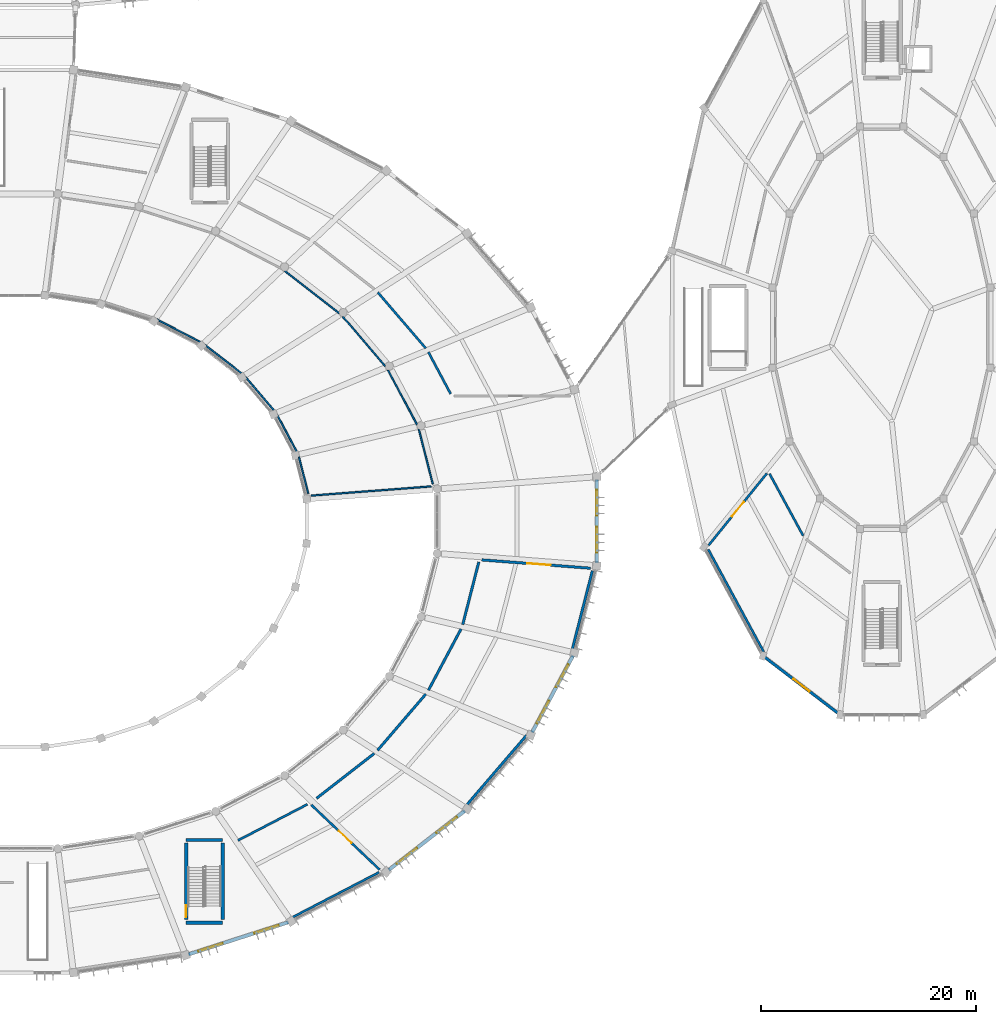
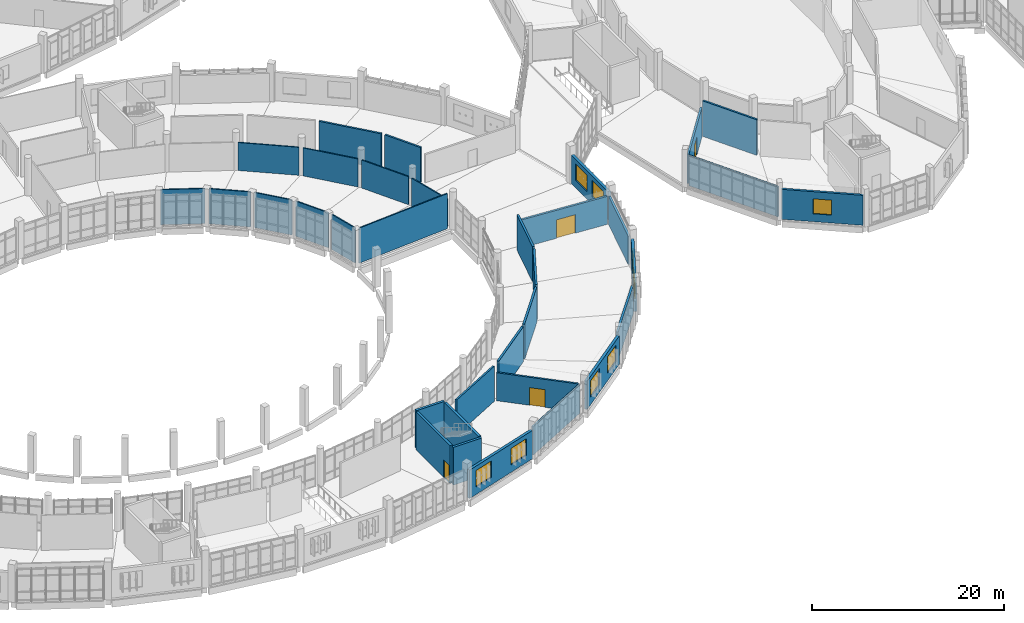
# One storey, part 122 of 179: 34 walls, 9 windows, 4 doors, 13 openings.
"""IFC4 building model written with IfcOpenShell, lengths in metres."""

from ifc_helpers import new_model, si_unit, direction, frame, frame_2d, origin, place, context, subcontext, project, spatial, rectangle, extrude, material, layer, layer_set, type_object, element, fill, save


model = new_model("IFC4")

# Units and contexts
model_context = context("Model", 3, precision=1e-05, world=origin(), true_north=direction((0.0, 1.0)))
body_context = subcontext(model_context, "Body", "Model", "MODEL_VIEW")
ifc_project = project(units=[si_unit("LENGTHUNIT", "METRE"), si_unit("AREAUNIT", "SQUARE_METRE"), si_unit("VOLUMEUNIT", "CUBIC_METRE"), si_unit("PLANEANGLEUNIT", "RADIAN"), si_unit("MASSUNIT", "GRAM", prefix="KILO")], contexts=[model_context])

# Site, building, storey
site_placement = place(None, origin())
site = spatial("IfcSite", under=ifc_project, at=site_placement, CompositionType="ELEMENT")
building_placement = place(site_placement, origin())
building = spatial("IfcBuilding", under=site, at=building_placement, Name="Corvandel Quay Wholesale Market", CompositionType="ELEMENT")
storey_placement = place(building_placement, frame((0.0, 0.0, 6.0)))
storey = spatial("IfcBuildingStorey", under=building, at=storey_placement, Name="L01", CompositionType="ELEMENT", Elevation=6.0)

# Walls
ifc_material_1 = material(Name="Gypsum-clad steel stud framing", Category="steel")
ifc_layer_1 = layer(ifc_material_1, 0.2099609375)
ifc_layer_set_1 = layer_set([ifc_layer_1], Name="Gypsum-clad steel stud framing")
wall_type_1 = type_object("IfcWallType", Name="Corridor Rated Partition PT02 210", PredefinedType="PARTITIONING", material=ifc_layer_set_1)
wall_1_placement = place(storey_placement, frame((152.087890625, 58.089111328125, 0.0), z_axis=(0.0, 0.0, 1.0), x_axis=(-0.651011467263, 0.759067895179, 0.0)))
element("IfcWall", 1, at=wall_1_placement, inside=storey, type_object=wall_type_1, Name="Interior Wall IW-0442", PredefinedType="PARTITIONING", context=body_context, shape_type="SweptSolid", body=[
    extrude(rectangle(XDim=6.850341796875, YDim=0.2099609375, at=frame_2d((3.42529296875, 0.0))), origin(), (0.0, 0.0, 1.0), 4.4599609375),
])
wall_2_placement = place(storey_placement, frame((154.40869140625, 53.834228515625, 0.0), z_axis=(0.0, 0.0, 1.0), x_axis=(-0.470174564537, 0.882573441059, 0.0)))
element("IfcWall", 2, at=wall_2_placement, inside=storey, type_object=wall_type_1, Name="Interior Wall IW-0449", PredefinedType="PARTITIONING", context=body_context, shape_type="SweptSolid", body=[
    extrude(rectangle(XDim=4.41162109375, YDim=0.2099609375, at=frame_2d((2.205810546875, 0.0))), origin(), (0.0, 0.0, 1.0), 4.4599609375),
])
wall_3_placement = place(storey_placement, frame((134.625244140625, 12.30859375, 0.0), z_axis=(0.0, 0.0, 1.0), x_axis=(0.887324465007, 0.461145631878, 0.0)))
element("IfcWall", 3, at=wall_3_placement, inside=storey, type_object=wall_type_1, Name="Interior Wall IW-0478", PredefinedType="PARTITIONING", context=body_context, shape_type="SweptSolid", body=[
    extrude(rectangle(XDim=7.275390625, YDim=0.2099609375, at=frame_2d((3.6376953125, 0.0))), origin(), (0.0, 0.0, 1.0), 4.4599609375),
])

# Wall, opening, door
wall_4_placement = place(storey_placement, frame((141.435791015625, 15.613525390625, 0.0), z_axis=(0.0, 0.0, 1.0), x_axis=(0.725745871032, -0.687962884667, 0.0)))
wall_4 = element("IfcWall", 4, at=wall_4_placement, inside=storey, type_object=wall_type_1, Name="Interior Wall IW-0479", PredefinedType="PARTITIONING", context=body_context, shape_type="SweptSolid", body=[
    extrude(rectangle(XDim=8.7490234375, YDim=0.2099609375, at=frame_2d((4.37451171875, 0.0))), origin(), (0.0, 0.0, 1.0), 3.56005859375),
])
opening_1_placement = place(wall_4_placement, frame((3.52490234375, 0.0, 0.0)))
opening_1 = element("IfcOpeningElement", 5, at=opening_1_placement, cuts=wall_4, Name="Opening L01-D036", PredefinedType="OPENING", context=body_context, shape_type="SweptSolid", body=[
    extrude(rectangle(XDim=1.64990234375, YDim=2.25, at=frame_2d((0.824951171875, 1.125))), frame((0.0, 0.114990234375, 0.0), z_axis=(0.0, -1.0, 0.0), x_axis=(1.0, 0.0, 0.0)), (0.0, 0.0, 1.0), 0.22998046875),
])
ifc_material_2 = material(Name="HPL-faced hygienic timber core", Category="wood")
door_type_1 = type_object("IfcDoorType", Name="Laboratory Double Door ID08 1650x2250", OperationType="DOUBLE_DOOR_SINGLE_SWING", PredefinedType="DOOR", material=ifc_material_2)
door_1_placement = place(opening_1_placement, origin())
door_1 = element("IfcDoor", 6, at=door_1_placement, inside=storey, type_object=door_type_1, Name="Produce Packaging and Labelling Hall Door", OperationType="DOUBLE_DOOR_SINGLE_SWING", OverallHeight=2.25, OverallWidth=1.64990234375, PredefinedType="DOOR", context=body_context, shape_type="SweptSolid", body=[
    extrude(rectangle(XDim=1.64990234375, YDim=2.25, at=frame_2d((0.824951171875, 1.125))), frame((0.0, 0.02490234375, 0.0), z_axis=(0.0, -1.0, 0.0), x_axis=(1.0, 0.0, 0.0)), (0.0, 0.0, 1.0), 0.050048828125),
])
fill(opening_1, door_1)

# Walls
wall_5_placement = place(storey_placement, frame((147.749755859375, 9.341552734375, 0.0), z_axis=(0.0, 0.0, 1.0), x_axis=(-0.887317698476, -0.461158651627, 0.0)))
element("IfcWall", 7, at=wall_5_placement, inside=storey, type_object=wall_type_1, Name="Interior Wall IW-0480", PredefinedType="PARTITIONING", context=body_context, shape_type="SweptSolid", body=[
    extrude(rectangle(XDim=9.110107421875, YDim=0.2099609375, at=frame_2d((4.55517578125, 0.0))), origin(), (0.0, 0.0, 1.0), 3.610107421875),
])
wall_6_placement = place(storey_placement, frame((183.5361328125, 29.83349609375, 0.0), z_axis=(0.0, 0.0, 1.0), x_axis=(-0.476290386747, 0.879288045803, 0.0)))
element("IfcWall", 8, at=wall_6_placement, inside=storey, type_object=wall_type_1, Name="Interior Wall IW-0739", PredefinedType="PARTITIONING", context=body_context, shape_type="SweptSolid", body=[
    extrude(rectangle(XDim=10.86572265625, YDim=0.2099609375, at=frame_2d((5.432861328125, 0.0))), origin(), (0.0, 0.0, 1.0), 3.81005859375),
])

# Wall, opening, door
wall_7_placement = place(storey_placement, frame((178.39453125, 39.751953125, 0.0), z_axis=(0.0, 0.0, 1.0), x_axis=(0.629757145599, 0.776792081298, 0.0)))
wall_7 = element("IfcWall", 9, at=wall_7_placement, inside=storey, type_object=wall_type_1, Name="Interior Wall IW-0740", PredefinedType="PARTITIONING", context=body_context, shape_type="SweptSolid", body=[
    extrude(rectangle(XDim=8.61767578125, YDim=0.2099609375, at=frame_2d((4.308837890625, 0.0))), origin(), (0.0, 0.0, 1.0), 3.760009765625),
])
opening_2_placement = place(wall_7_placement, frame((3.458984375, 0.0, 0.0)))
opening_2 = element("IfcOpeningElement", 10, at=opening_2_placement, cuts=wall_7, Name="Opening L01-D050", PredefinedType="OPENING", context=body_context, shape_type="SweptSolid", body=[
    extrude(rectangle(XDim=1.75, YDim=2.35009765625, at=frame_2d((0.875, 1.175048828125))), frame((0.0, 0.114990234375, 0.0), z_axis=(0.0, -1.0, 0.0), x_axis=(1.0, 0.0, 0.0)), (0.0, 0.0, 1.0), 0.22998046875),
])
ifc_material_3 = material(Name="Acoustic timber double leaf", Category="wood")
door_type_2 = type_object("IfcDoorType", Name="Auction Hall Acoustic Door ID18 1750x2350", OperationType="DOUBLE_DOOR_SINGLE_SWING", PredefinedType="DOOR", material=ifc_material_3)
door_2_placement = place(opening_2_placement, origin())
door_2 = element("IfcDoor", 11, at=door_2_placement, inside=storey, type_object=door_type_2, Name="Auction Clock Settlement Office Door", OperationType="DOUBLE_DOOR_SINGLE_SWING", OverallHeight=2.35009765625, OverallWidth=1.75, PredefinedType="DOOR", context=body_context, shape_type="SweptSolid", body=[
    extrude(rectangle(XDim=1.75, YDim=2.35009765625, at=frame_2d((0.875, 1.175048828125))), frame((0.0, 0.02490234375, 0.0), z_axis=(0.0, -1.0, 0.0), x_axis=(1.0, 0.0, 0.0)), (0.0, 0.0, 1.0), 0.050048828125),
])
fill(opening_2, door_2)

# Walls
wall_8_placement = place(storey_placement, frame((184.06494140625, 46.423583984375, 0.0), z_axis=(0.0, 0.0, 1.0), x_axis=(0.476768399211, -0.87902894919, 0.0)))
element("IfcWall", 12, at=wall_8_placement, inside=storey, type_object=wall_type_1, Name="Interior Wall IW-0741", PredefinedType="PARTITIONING", context=body_context, shape_type="SweptSolid", body=[
    extrude(rectangle(XDim=6.563232421875, YDim=0.2099609375, at=frame_2d((3.28173828125, 0.0))), origin(), (0.0, 0.0, 1.0), 4.5400390625),
])
ifc_material_4 = material(Name="Lightweight concrete blockwork", Category="masonry")
ifc_layer_2 = layer(ifc_material_4, 0.239990234375)
ifc_layer_set_2 = layer_set([ifc_layer_2], Name="Lightweight concrete blockwork")
wall_type_2 = type_object("IfcWallType", Name="Fire Compartment Partition PT01 240", PredefinedType="PARTITIONING", material=ifc_layer_set_2)
wall_9_placement = place(storey_placement, frame((147.609375, 20.69384765625, 0.0), z_axis=(0.0, 0.0, 1.0), x_axis=(0.651320491165, 0.758802752887, 0.0)))
element("IfcWall", 13, at=wall_9_placement, inside=storey, type_object=wall_type_2, Name="Interior Wall IW-0483", PredefinedType="PARTITIONING", context=body_context, shape_type="SweptSolid", body=[
    extrude(rectangle(XDim=6.875732421875, YDim=0.239990234375, at=frame_2d((3.43798828125, 0.0))), origin(), (0.0, 0.0, 1.0), 4.4599609375),
])
wall_10_placement = place(storey_placement, frame((152.33447265625, 26.272216796875, 0.0), z_axis=(0.0, 0.0, 1.0), x_axis=(0.4699449875, 0.882695705622, 0.0)))
element("IfcWall", 14, at=wall_10_placement, inside=storey, type_object=wall_type_2, Name="Interior Wall IW-0484", PredefinedType="PARTITIONING", context=body_context, shape_type="SweptSolid", body=[
    extrude(rectangle(XDim=6.462646484375, YDim=0.239990234375, at=frame_2d((3.2314453125, 0.0))), origin(), (0.0, 0.0, 1.0), 4.4599609375),
])
wall_11_placement = place(storey_placement, frame((155.529541015625, 32.384033203125, 0.0), z_axis=(0.0, 0.0, 1.0), x_axis=(0.248247314143, 0.968696686802, 0.0)))
element("IfcWall", 15, at=wall_11_placement, inside=storey, type_object=wall_type_2, Name="Interior Wall IW-0485", PredefinedType="PARTITIONING", context=body_context, shape_type="SweptSolid", body=[
    extrude(rectangle(XDim=6.010009765625, YDim=0.239990234375, at=frame_2d((3.0048828125, 0.0))), origin(), (0.0, 0.0, 1.0), 4.4599609375),
])

# Wall, opening, door
wall_12_placement = place(storey_placement, frame((157.29541015625, 38.402099609375, 0.0), z_axis=(0.0, 0.0, 1.0), x_axis=(0.997076634039, -0.076408022176, 0.0)))
wall_12 = element("IfcWall", 16, at=wall_12_placement, inside=storey, type_object=wall_type_2, Name="Interior Wall IW-0486", PredefinedType="PARTITIONING", context=body_context, shape_type="SweptSolid", body=[
    extrude(rectangle(XDim=10.160888671875, YDim=0.239990234375, at=frame_2d((5.08056640625, 0.0))), origin(), (0.0, 0.0, 1.0), 3.56005859375),
])
opening_3_placement = place(wall_12_placement, frame((4.22998046875, 0.0, 0.0)))
opening_3 = element("IfcOpeningElement", 17, at=opening_3_placement, cuts=wall_12, Name="Opening L01-D037", PredefinedType="OPENING", context=body_context, shape_type="SweptSolid", body=[
    extrude(rectangle(XDim=2.199951171875, YDim=2.35009765625, at=frame_2d((1.10009765625, 1.175048828125))), frame((0.0, 0.1298828125, 0.0), z_axis=(0.0, -1.0, 0.0), x_axis=(1.0, 0.0, 0.0)), (0.0, 0.0, 1.0), 0.260009765625),
])
ifc_material_5 = material(Name="Stainless-clad fire-rated steel", Category="steel")
door_type_3 = type_object("IfcDoorType", Name="Hall Compartment Double Door ID04 2200x2350", OperationType="DOUBLE_DOOR_SINGLE_SWING", PredefinedType="DOOR", material=ifc_material_5)
door_3_placement = place(opening_3_placement, origin())
door_3 = element("IfcDoor", 18, at=door_3_placement, inside=storey, type_object=door_type_3, Name="Growers Cooperative Trading Office Door", OperationType="DOUBLE_DOOR_SINGLE_SWING", OverallHeight=2.35009765625, OverallWidth=2.199951171875, PredefinedType="DOOR", context=body_context, shape_type="SweptSolid", body=[
    extrude(rectangle(XDim=2.199951171875, YDim=2.35009765625, at=frame_2d((1.10009765625, 1.175048828125))), frame((0.0, 0.02490234375, 0.0), z_axis=(0.0, -1.0, 0.0), x_axis=(1.0, 0.0, 0.0)), (0.0, 0.0, 1.0), 0.050048828125),
])
fill(opening_3, door_3)

# Walls
wall_13_placement = place(storey_placement, frame((167.591552734375, 37.39599609375, 0.0), z_axis=(0.0, 0.0, 1.0), x_axis=(-0.247762128405, -0.968820895588, 0.0)))
element("IfcWall", 19, at=wall_13_placement, inside=storey, type_object=wall_type_2, Name="Interior Wall IW-0487", PredefinedType="PARTITIONING", context=body_context, shape_type="SweptSolid", body=[
    extrude(rectangle(XDim=7.567626953125, YDim=0.239990234375, at=frame_2d((3.78369140625, 0.0))), origin(), (0.0, 0.0, 1.0), 3.610107421875),
])
wall_14_placement = place(storey_placement, frame((161.477783203125, 22.09814453125, 0.0), z_axis=(0.0, 0.0, 1.0), x_axis=(-0.651588761732, -0.758572399699, 0.0)))
element("IfcWall", 20, at=wall_14_placement, inside=storey, type_object=wall_type_2, Name="Interior Wall IW-0488", PredefinedType="PARTITIONING", context=body_context, shape_type="SweptSolid", body=[
    extrude(rectangle(XDim=8.569091796875, YDim=0.239990234375, at=frame_2d((4.28466796875, 0.0))), origin(), (0.0, 0.0, 1.0), 3.610107421875),
])
wall_15_placement = place(storey_placement, frame((141.9267578125, 16.218994140625, 0.0), z_axis=(0.0, 0.0, 1.0), x_axis=(0.789373491507, 0.613913260083, 0.0)))
element("IfcWall", 21, at=wall_15_placement, inside=storey, type_object=wall_type_2, Name="Interior Wall IW-0489", PredefinedType="PARTITIONING", context=body_context, shape_type="SweptSolid", body=[
    extrude(rectangle(XDim=6.797119140625, YDim=0.239990234375, at=frame_2d((3.3984375, 0.0))), origin(), (0.0, 0.0, 1.0), 4.4599609375),
])
ifc_material_6 = material(Name="Double-layer acoustic gypsum stud partition")
ifc_layer_3 = layer(ifc_material_6, 0.139892578125)
ifc_layer_set_3 = layer_set([ifc_layer_3], Name="Double-layer acoustic gypsum stud partition")
wall_type_3 = type_object("IfcWallType", Name="Office Acoustic Partition PT07 140", PredefinedType="PARTITIONING", material=ifc_layer_set_3)
wall_16_placement = place(storey_placement, frame((140.129638671875, 48.38818359375, 0.0), z_axis=(0.0, 0.0, 1.0), x_axis=(-0.46974902355, 0.882800008424, 0.0)))
element("IfcWall", 22, at=wall_16_placement, inside=storey, type_object=wall_type_3, Name="Interior Wall IW-0490", PredefinedType="PARTITIONING", context=body_context, shape_type="SweptSolid", body=[
    extrude(rectangle(XDim=4.017578125, YDim=0.139892578125, at=frame_2d((2.0087890625, 0.0))), origin(), (0.0, 0.0, 1.0), 4.4599609375),
])
wall_17_placement = place(storey_placement, frame((137.99560546875, 52.2958984375, 0.0), z_axis=(0.0, 0.0, 1.0), x_axis=(-0.651780038409, 0.758408057402, 0.0)))
element("IfcWall", 23, at=wall_17_placement, inside=storey, type_object=wall_type_3, Name="Interior Wall IW-0491", PredefinedType="PARTITIONING", context=body_context, shape_type="SweptSolid", body=[
    extrude(rectangle(XDim=4.1259765625, YDim=0.139892578125, at=frame_2d((2.06298828125, 0.0))), origin(), (0.0, 0.0, 1.0), 4.4599609375),
])
wall_18_placement = place(storey_placement, frame((134.9892578125, 55.72705078125, 0.0), z_axis=(0.0, 0.0, 1.0), x_axis=(-0.789439402794, 0.61382850155, 0.0)))
element("IfcWall", 24, at=wall_18_placement, inside=storey, type_object=wall_type_3, Name="Interior Wall IW-0492", PredefinedType="PARTITIONING", context=body_context, shape_type="SweptSolid", body=[
    extrude(rectangle(XDim=4.372314453125, YDim=0.139892578125, at=frame_2d((2.18603515625, 0.0))), origin(), (0.0, 0.0, 1.0), 4.4599609375),
])
wall_19_placement = place(storey_placement, frame((131.168701171875, 58.6474609375, 0.0), z_axis=(0.0, 0.0, 1.0), x_axis=(-0.887481523637, 0.460843297882, 0.0)))
element("IfcWall", 25, at=wall_19_placement, inside=storey, type_object=wall_type_3, Name="Interior Wall IW-0493", PredefinedType="PARTITIONING", context=body_context, shape_type="SweptSolid", body=[
    extrude(rectangle(XDim=4.617919921875, YDim=0.139892578125, at=frame_2d((2.30908203125, 0.0))), origin(), (0.0, 0.0, 1.0), 4.4599609375),
])
wall_20_placement = place(storey_placement, frame((138.978759765625, 65.27978515625, 0.0), z_axis=(0.0, 0.0, 1.0), x_axis=(0.789391155416, -0.613890547045, 0.0)))
element("IfcWall", 26, at=wall_20_placement, inside=storey, type_object=wall_type_3, Name="Interior Wall IW-0500", PredefinedType="PARTITIONING", context=body_context, shape_type="SweptSolid", body=[
    extrude(rectangle(XDim=6.414306640625, YDim=0.139892578125, at=frame_2d((3.20703125, 0.0))), origin(), (0.0, 0.0, 1.0), 3.56005859375),
])
wall_21_placement = place(storey_placement, frame((144.359375, 61.0400390625, 0.0), z_axis=(0.0, 0.0, 1.0), x_axis=(0.651509200707, -0.758640732754, 0.0)))
element("IfcWall", 27, at=wall_21_placement, inside=storey, type_object=wall_type_3, Name="Interior Wall IW-0501", PredefinedType="PARTITIONING", context=body_context, shape_type="SweptSolid", body=[
    extrude(rectangle(XDim=6.075439453125, YDim=0.139892578125, at=frame_2d((3.03759765625, 0.0))), origin(), (0.0, 0.0, 1.0), 3.56005859375),
])
wall_22_placement = place(storey_placement, frame((148.564453125, 56.06982421875, 0.0), z_axis=(0.0, 0.0, 1.0), x_axis=(0.47010310894, -0.882611503984, 0.0)))
element("IfcWall", 28, at=wall_22_placement, inside=storey, type_object=wall_type_3, Name="Interior Wall IW-0502", PredefinedType="PARTITIONING", context=body_context, shape_type="SweptSolid", body=[
    extrude(rectangle(XDim=5.7734375, YDim=0.139892578125, at=frame_2d((2.88671875, 0.0))), origin(), (0.0, 0.0, 1.0), 3.56005859375),
])
wall_23_placement = place(storey_placement, frame((151.4365234375, 50.56689453125, 0.0), z_axis=(0.0, 0.0, 1.0), x_axis=(0.247845395497, -0.968799597404, 0.0)))
element("IfcWall", 29, at=wall_23_placement, inside=storey, type_object=wall_type_3, Name="Interior Wall IW-0503", PredefinedType="PARTITIONING", context=body_context, shape_type="SweptSolid", body=[
    extrude(rectangle(XDim=5.26513671875, YDim=0.139892578125, at=frame_2d((2.632568359375, 0.0))), origin(), (0.0, 0.0, 1.0), 3.56005859375),
])
wall_24_placement = place(storey_placement, frame((152.57666015625, 45.236083984375, 0.0), z_axis=(0.0, 0.0, 1.0), x_axis=(-0.997075007957, -0.076429238566, 0.0)))
element("IfcWall", 30, at=wall_24_placement, inside=storey, type_object=wall_type_3, Name="Interior Wall IW-0504", PredefinedType="PARTITIONING", context=body_context, shape_type="SweptSolid", body=[
    extrude(rectangle(XDim=11.177001953125, YDim=0.139892578125, at=frame_2d((5.58837890625, 0.0))), origin(), (0.0, 0.0, 1.0), 4.4599609375),
])
wall_25_placement = place(storey_placement, frame((141.158447265625, 44.578125, 0.0), z_axis=(0.0, 0.0, 1.0), x_axis=(-0.247928828704, 0.968778249084, 0.0)))
element("IfcWall", 31, at=wall_25_placement, inside=storey, type_object=wall_type_3, Name="Interior Wall IW-0505", PredefinedType="PARTITIONING", context=body_context, shape_type="SweptSolid", body=[
    extrude(rectangle(XDim=3.512451171875, YDim=0.139892578125, at=frame_2d((1.75634765625, 0.0))), origin(), (0.0, 0.0, 1.0), 4.4599609375),
])

# Wall, opening, window
ifc_material_7 = material(Name="Terracotta precast concrete C45/55", Category="masonry")
ifc_layer_4 = layer(ifc_material_7, 0.260009765625)
ifc_layer_set_4 = layer_set([ifc_layer_4], Name="Terracotta precast concrete C45/55")
wall_type_4 = type_object("IfcWallType", Name="Pavilion Pilaster Infill Wall EW08 260", PredefinedType="SOLIDWALL", material=ifc_layer_set_4)
wall_26_placement = place(storey_placement, frame((183.62890625, 29.347412109375, 0.0), z_axis=(0.0, 0.0, 1.0), x_axis=(0.794325535109, -0.607492340918, 0.0)))
wall_26 = element("IfcWall", 32, at=wall_26_placement, inside=storey, type_object=wall_type_4, Name="Exterior Wall EW-0184", PredefinedType="SOLIDWALL", context=body_context, shape_type="SweptSolid", body=[
    extrude(rectangle(XDim=8.58251953125, YDim=0.260009765625, at=frame_2d((4.291259765625, 0.0))), origin(), (0.0, 0.0, 1.0), 3.81005859375),
])
opening_4_placement = place(wall_26_placement, frame((3.341064453125, 0.0, 1.0)))
opening_4 = element("IfcOpeningElement", 33, at=opening_4_placement, cuts=wall_26, Name="Opening L01-W049", PredefinedType="OPENING", context=body_context, shape_type="SweptSolid", body=[
    extrude(rectangle(XDim=1.89990234375, YDim=1.89990234375, at=frame_2d((0.949951171875, 0.949951171875))), frame((0.0, 0.139892578125, 0.0), z_axis=(0.0, -1.0, 0.0), x_axis=(1.0, 0.0, 0.0)), (0.0, 0.0, 1.0), 0.280029296875),
])
ifc_material_8 = material(Name="Thermally broken bronze anodised aluminium and solar-control low-E double glazing", Category="aluminium")
window_type_1 = type_object("IfcWindowType", Name="Auction Gallery Window WN12 1900x1900", PartitioningType="SINGLE_PANEL", PredefinedType="WINDOW", material=ifc_material_8)
window_1_placement = place(opening_4_placement, origin())
window_1 = element("IfcWindow", 34, at=window_1_placement, inside=storey, type_object=window_type_1, Name="Window L01-W049", OverallHeight=1.89990234375, OverallWidth=1.89990234375, PartitioningType="SINGLE_PANEL", PredefinedType="WINDOW", context=body_context, shape_type="SweptSolid", body=[
    extrude(rectangle(XDim=1.89990234375, YDim=1.89990234375, at=frame_2d((0.949951171875, 0.949951171875))), frame((0.0, 0.030029296875, 0.0), z_axis=(0.0, -1.0, 0.0), x_axis=(1.0, 0.0, 0.0)), (0.0, 0.0, 1.0), 0.06005859375),
])
fill(opening_4, window_1)

# Wall, openings, windows
ifc_material_9 = material(Name="Buff-pigmented precast concrete C45/55", Category="concrete")
ifc_layer_5 = layer(ifc_material_9, 0.320068359375)
ifc_layer_set_5 = layer_set([ifc_layer_5], Name="Buff-pigmented precast concrete C45/55")
wall_type_5 = type_object("IfcWallType", Name="Sandstone Buff Precast Wall EW02 320", PredefinedType="SOLIDWALL", material=ifc_layer_set_5)
wall_27_placement = place(storey_placement, frame((130.008056640625, 1.69677734375, 0.0), z_axis=(0.0, 0.0, 1.0), x_axis=(0.95182847269, 0.30663098111, 0.0)))
wall_27 = element("IfcWall", 35, at=wall_27_placement, inside=storey, type_object=wall_type_5, Name="Exterior Wall EW-0069", PredefinedType="SOLIDWALL", context=body_context, shape_type="SweptSolid", body=[
    extrude(rectangle(XDim=9.785400390625, YDim=0.320068359375, at=frame_2d((4.892578125, 0.0))), origin(), (0.0, 0.0, 1.0), 3.610107421875),
])
opening_5_placement = place(wall_27_placement, frame((0.949951171875, 0.0, 0.949951171875)))
opening_5 = element("IfcOpeningElement", 36, at=opening_5_placement, cuts=wall_27, Name="Opening L01-W021", PredefinedType="OPENING", context=body_context, shape_type="SweptSolid", body=[
    extrude(rectangle(XDim=2.39990234375, YDim=2.10009765625, at=frame_2d((1.199951171875, 1.050048828125))), frame((0.0, 0.169921875, 0.0), z_axis=(0.0, -1.0, 0.0), x_axis=(1.0, 0.0, 0.0)), (0.0, 0.0, 1.0), 0.340087890625),
])
opening_6_placement = place(wall_27_placement, frame((6.43505859375, 0.0, 0.949951171875)))
opening_6 = element("IfcOpeningElement", 37, at=opening_6_placement, cuts=wall_27, Name="Opening L01-W022", PredefinedType="OPENING", context=body_context, shape_type="SweptSolid", body=[
    extrude(rectangle(XDim=2.39990234375, YDim=2.10009765625, at=frame_2d((1.199951171875, 1.050048828125))), frame((0.0, 0.169921875, 0.0), z_axis=(0.0, -1.0, 0.0), x_axis=(1.0, 0.0, 0.0)), (0.0, 0.0, 1.0), 0.340087890625),
])
window_type_2 = type_object("IfcWindowType", Name="Produce Gallery Punched Window WN02 2400x2100", PartitioningType="SINGLE_PANEL", PredefinedType="WINDOW", material=ifc_material_8)
window_2_placement = place(opening_5_placement, origin())
window_2 = element("IfcWindow", 38, at=window_2_placement, inside=storey, type_object=window_type_2, Name="Window L01-W021", OverallHeight=2.10009765625, OverallWidth=2.39990234375, PartitioningType="SINGLE_PANEL", PredefinedType="WINDOW", context=body_context, shape_type="SweptSolid", body=[
    extrude(rectangle(XDim=2.39990234375, YDim=2.10009765625, at=frame_2d((1.199951171875, 1.050048828125))), frame((0.0, 0.030029296875, 0.0), z_axis=(0.0, -1.0, 0.0), x_axis=(1.0, 0.0, 0.0)), (0.0, 0.0, 1.0), 0.06005859375),
])
fill(opening_5, window_2)
window_3_placement = place(opening_6_placement, origin())
window_3 = element("IfcWindow", 39, at=window_3_placement, inside=storey, type_object=window_type_2, Name="Window L01-W022", OverallHeight=2.10009765625, OverallWidth=2.39990234375, PartitioningType="SINGLE_PANEL", PredefinedType="WINDOW", context=body_context, shape_type="SweptSolid", body=[
    extrude(rectangle(XDim=2.39990234375, YDim=2.10009765625, at=frame_2d((1.199951171875, 1.050048828125))), frame((0.0, 0.030029296875, 0.0), z_axis=(0.0, -1.0, 0.0), x_axis=(1.0, 0.0, 0.0)), (0.0, 0.0, 1.0), 0.06005859375),
])
fill(opening_6, window_3)

wall_28_placement = place(storey_placement, frame((148.635986328125, 9.541748046875, 0.0), z_axis=(0.0, 0.0, 1.0), x_axis=(0.789327357341, 0.613972575082, 0.0)))
wall_28 = element("IfcWall", 40, at=wall_28_placement, inside=storey, type_object=wall_type_5, Name="Exterior Wall EW-0076", PredefinedType="SOLIDWALL", context=body_context, shape_type="SweptSolid", body=[
    extrude(rectangle(XDim=8.98974609375, YDim=0.320068359375, at=frame_2d((4.494873046875, 0.0))), origin(), (0.0, 0.0, 1.0), 3.610107421875),
])
opening_7_placement = place(wall_28_placement, frame((0.949951171875, 0.0, 0.949951171875)))
opening_7 = element("IfcOpeningElement", 41, at=opening_7_placement, cuts=wall_28, Name="Opening L01-W023", PredefinedType="OPENING", context=body_context, shape_type="SweptSolid", body=[
    extrude(rectangle(XDim=2.39990234375, YDim=2.10009765625, at=frame_2d((1.199951171875, 1.050048828125))), frame((0.0, 0.169921875, 0.0), z_axis=(0.0, -1.0, 0.0), x_axis=(1.0, 0.0, 0.0)), (0.0, 0.0, 1.0), 0.340087890625),
])
opening_8_placement = place(wall_28_placement, frame((5.639892578125, 0.0, 0.949951171875)))
opening_8 = element("IfcOpeningElement", 42, at=opening_8_placement, cuts=wall_28, Name="Opening L01-W024", PredefinedType="OPENING", context=body_context, shape_type="SweptSolid", body=[
    extrude(rectangle(XDim=2.39990234375, YDim=2.10009765625, at=frame_2d((1.199951171875, 1.050048828125))), frame((0.0, 0.169921875, 0.0), z_axis=(0.0, -1.0, 0.0), x_axis=(1.0, 0.0, 0.0)), (0.0, 0.0, 1.0), 0.340087890625),
])
window_4_placement = place(opening_7_placement, origin())
window_4 = element("IfcWindow", 43, at=window_4_placement, inside=storey, type_object=window_type_2, Name="Window L01-W023", OverallHeight=2.10009765625, OverallWidth=2.39990234375, PartitioningType="SINGLE_PANEL", PredefinedType="WINDOW", context=body_context, shape_type="SweptSolid", body=[
    extrude(rectangle(XDim=2.39990234375, YDim=2.10009765625, at=frame_2d((1.199951171875, 1.050048828125))), frame((0.0, 0.030029296875, 0.0), z_axis=(0.0, -1.0, 0.0), x_axis=(1.0, 0.0, 0.0)), (0.0, 0.0, 1.0), 0.06005859375),
])
fill(opening_7, window_4)
window_5_placement = place(opening_8_placement, origin())
window_5 = element("IfcWindow", 44, at=window_5_placement, inside=storey, type_object=window_type_2, Name="Window L01-W024", OverallHeight=2.10009765625, OverallWidth=2.39990234375, PartitioningType="SINGLE_PANEL", PredefinedType="WINDOW", context=body_context, shape_type="SweptSolid", body=[
    extrude(rectangle(XDim=2.39990234375, YDim=2.10009765625, at=frame_2d((1.199951171875, 1.050048828125))), frame((0.0, 0.030029296875, 0.0), z_axis=(0.0, -1.0, 0.0), x_axis=(1.0, 0.0, 0.0)), (0.0, 0.0, 1.0), 0.06005859375),
])
fill(opening_8, window_5)

wall_29_placement = place(storey_placement, frame((161.98095703125, 22.34423828125, 0.0), z_axis=(0.0, 0.0, 1.0), x_axis=(0.47010905891, 0.882608334841, 0.0)))
wall_29 = element("IfcWall", 45, at=wall_29_placement, inside=storey, type_object=wall_type_5, Name="Exterior Wall EW-0080", PredefinedType="SOLIDWALL", context=body_context, shape_type="SweptSolid", body=[
    extrude(rectangle(XDim=8.11962890625, YDim=0.320068359375, at=frame_2d((4.059814453125, 0.0))), origin(), (0.0, 0.0, 1.0), 3.610107421875),
])
opening_9_placement = place(wall_29_placement, frame((0.949951171875, 0.0, 0.949951171875)))
opening_9 = element("IfcOpeningElement", 46, at=opening_9_placement, cuts=wall_29, Name="Opening L01-W025", PredefinedType="OPENING", context=body_context, shape_type="SweptSolid", body=[
    extrude(rectangle(XDim=2.39990234375, YDim=2.10009765625, at=frame_2d((1.199951171875, 1.050048828125))), frame((0.0, 0.169921875, 0.0), z_axis=(0.0, -1.0, 0.0), x_axis=(1.0, 0.0, 0.0)), (0.0, 0.0, 1.0), 0.340087890625),
])
opening_10_placement = place(wall_29_placement, frame((4.77001953125, 0.0, 0.949951171875)))
opening_10 = element("IfcOpeningElement", 47, at=opening_10_placement, cuts=wall_29, Name="Opening L01-W026", PredefinedType="OPENING", context=body_context, shape_type="SweptSolid", body=[
    extrude(rectangle(XDim=2.39990234375, YDim=2.10009765625, at=frame_2d((1.199951171875, 1.050048828125))), frame((0.0, 0.169921875, 0.0), z_axis=(0.0, -1.0, 0.0), x_axis=(1.0, 0.0, 0.0)), (0.0, 0.0, 1.0), 0.340087890625),
])
window_6_placement = place(opening_9_placement, origin())
window_6 = element("IfcWindow", 48, at=window_6_placement, inside=storey, type_object=window_type_2, Name="Window L01-W025", OverallHeight=2.10009765625, OverallWidth=2.39990234375, PartitioningType="SINGLE_PANEL", PredefinedType="WINDOW", context=body_context, shape_type="SweptSolid", body=[
    extrude(rectangle(XDim=2.39990234375, YDim=2.10009765625, at=frame_2d((1.199951171875, 1.050048828125))), frame((0.0, 0.030029296875, 0.0), z_axis=(0.0, -1.0, 0.0), x_axis=(1.0, 0.0, 0.0)), (0.0, 0.0, 1.0), 0.06005859375),
])
fill(opening_9, window_6)
window_7_placement = place(opening_10_placement, origin())
window_7 = element("IfcWindow", 49, at=window_7_placement, inside=storey, type_object=window_type_2, Name="Window L01-W026", OverallHeight=2.10009765625, OverallWidth=2.39990234375, PartitioningType="SINGLE_PANEL", PredefinedType="WINDOW", context=body_context, shape_type="SweptSolid", body=[
    extrude(rectangle(XDim=2.39990234375, YDim=2.10009765625, at=frame_2d((1.199951171875, 1.050048828125))), frame((0.0, 0.030029296875, 0.0), z_axis=(0.0, -1.0, 0.0), x_axis=(1.0, 0.0, 0.0)), (0.0, 0.0, 1.0), 0.06005859375),
])
fill(opening_10, window_7)

wall_30_placement = place(storey_placement, frame((168.0, 38.133056640625, 0.0), z_axis=(0.0, 0.0, 1.0), x_axis=(0.0, 1.0, 0.0)))
wall_30 = element("IfcWall", 50, at=wall_30_placement, inside=storey, type_object=wall_type_5, Name="Exterior Wall EW-0085", PredefinedType="SOLIDWALL", context=body_context, shape_type="SweptSolid", body=[
    extrude(rectangle(XDim=7.73388671875, YDim=0.320068359375, at=frame_2d((3.866943359375, 0.0))), origin(), (0.0, 0.0, 1.0), 3.610107421875),
])
opening_11_placement = place(wall_30_placement, frame((0.949951171875, 0.0, 0.949951171875)))
opening_11 = element("IfcOpeningElement", 51, at=opening_11_placement, cuts=wall_30, Name="Opening L01-W027", PredefinedType="OPENING", context=body_context, shape_type="SweptSolid", body=[
    extrude(rectangle(XDim=2.39990234375, YDim=2.10009765625, at=frame_2d((1.199951171875, 1.050048828125))), frame((0.0, 0.169921875, 0.0), z_axis=(0.0, -1.0, 0.0), x_axis=(1.0, 0.0, 0.0)), (0.0, 0.0, 1.0), 0.340087890625),
])
opening_12_placement = place(wall_30_placement, frame((4.384033203125, 0.0, 0.949951171875)))
opening_12 = element("IfcOpeningElement", 52, at=opening_12_placement, cuts=wall_30, Name="Opening L01-W028", PredefinedType="OPENING", context=body_context, shape_type="SweptSolid", body=[
    extrude(rectangle(XDim=2.39990234375, YDim=2.10009765625, at=frame_2d((1.199951171875, 1.050048828125))), frame((0.0, 0.169921875, 0.0), z_axis=(0.0, -1.0, 0.0), x_axis=(1.0, 0.0, 0.0)), (0.0, 0.0, 1.0), 0.340087890625),
])
window_8_placement = place(opening_11_placement, origin())
window_8 = element("IfcWindow", 53, at=window_8_placement, inside=storey, type_object=window_type_2, Name="Window L01-W027", OverallHeight=2.10009765625, OverallWidth=2.39990234375, PartitioningType="SINGLE_PANEL", PredefinedType="WINDOW", context=body_context, shape_type="SweptSolid", body=[
    extrude(rectangle(XDim=2.39990234375, YDim=2.10009765625, at=frame_2d((1.199951171875, 1.050048828125))), frame((0.0, 0.030029296875, 0.0), z_axis=(0.0, -1.0, 0.0), x_axis=(1.0, 0.0, 0.0)), (0.0, 0.0, 1.0), 0.06005859375),
])
fill(opening_11, window_8)
window_9_placement = place(opening_12_placement, origin())
window_9 = element("IfcWindow", 54, at=window_9_placement, inside=storey, type_object=window_type_2, Name="Window L01-W028", OverallHeight=2.10009765625, OverallWidth=2.39990234375, PartitioningType="SINGLE_PANEL", PredefinedType="WINDOW", context=body_context, shape_type="SweptSolid", body=[
    extrude(rectangle(XDim=2.39990234375, YDim=2.10009765625, at=frame_2d((1.199951171875, 1.050048828125))), frame((0.0, 0.030029296875, 0.0), z_axis=(0.0, -1.0, 0.0), x_axis=(1.0, 0.0, 0.0)), (0.0, 0.0, 1.0), 0.06005859375),
])
fill(opening_12, window_9)

# Walls
ifc_material_10 = material(Name="Concrete C40/50", Category="concrete")
ifc_layer_6 = layer(ifc_material_10, 0.300048828125)
ifc_layer_set_6 = layer_set([ifc_layer_6], Name="Concrete C40/50")
wall_type_6 = type_object("IfcWallType", Name="Stair Shaft Shear Wall SW02 300", PredefinedType="SHEAR", material=ifc_layer_set_6)
for number, where, z_axis, x_axis, name in (
    (55, (129.800048828125, 4.64990234375, 0.0), (0.0, 0.0, 1.0), (1.0, 0.0, 0.0), "Shear Wall IW-0041"),
    (56, (129.800048828125, 12.35009765625, 0.0), (0.0, 0.0, 1.0), (1.0, 0.0, 0.0), "Shear Wall IW-0042"),
):
    element("IfcWall", number, at=place(storey_placement, frame(where, z_axis=z_axis, x_axis=x_axis)), inside=storey, type_object=wall_type_6, Name=name, PredefinedType="SHEAR", context=body_context, shape_type="SweptSolid", body=[
        extrude(rectangle(XDim=3.39990234375, YDim=0.300048828125, at=frame_2d((1.699951171875, 0.0))), origin(), (0.0, 0.0, 1.0), 4.800048828125),
    ])

# Wall, opening, door
wall_31_placement = place(storey_placement, frame((129.800048828125, 4.93994140625, 0.0), z_axis=(0.0, 0.0, 1.0), x_axis=(0.0, 1.0, 0.0)))
wall_31 = element("IfcWall", 57, at=wall_31_placement, inside=storey, type_object=wall_type_6, Name="Shear Wall IW-0043", PredefinedType="SHEAR", context=body_context, shape_type="SweptSolid", body=[
    extrude(rectangle(XDim=7.1201171875, YDim=0.300048828125, at=frame_2d((3.56005859375, 0.0))), origin(), (0.0, 0.0, 1.0), 4.800048828125),
])
opening_13_placement = place(wall_31_placement, frame((0.219970703125, 0.0, 0.0)))
opening_13 = element("IfcOpeningElement", 58, at=opening_13_placement, cuts=wall_31, Name="Opening L01-D005", PredefinedType="OPENING", context=body_context, shape_type="SweptSolid", body=[
    extrude(rectangle(XDim=1.10009765625, YDim=2.199951171875, at=frame_2d((0.550048828125, 1.10009765625))), frame((0.0, 0.159912109375, 0.0), z_axis=(0.0, -1.0, 0.0), x_axis=(1.0, 0.0, 0.0)), (0.0, 0.0, 1.0), 0.320068359375),
])
ifc_material_11 = material(Name="Galvanised fire-rated hollow steel", Category="steel")
door_type_4 = type_object("IfcDoorType", Name="Exit Stair Fire Door ID01 1100x2200L", OperationType="SINGLE_SWING_LEFT", PredefinedType="DOOR", material=ifc_material_11)
door_4_placement = place(opening_13_placement, origin())
door_4 = element("IfcDoor", 59, at=door_4_placement, inside=storey, type_object=door_type_4, Name="Exit Stair Door SH04-L01", OperationType="SINGLE_SWING_LEFT", OverallHeight=2.199951171875, OverallWidth=1.10009765625, PredefinedType="DOOR", context=body_context, shape_type="SweptSolid", body=[
    extrude(rectangle(XDim=1.10009765625, YDim=2.199951171875, at=frame_2d((0.550048828125, 1.10009765625))), frame((0.0, 0.02490234375, 0.0), z_axis=(0.0, -1.0, 0.0), x_axis=(1.0, 0.0, 0.0)), (0.0, 0.0, 1.0), 0.050048828125),
])
fill(opening_13, door_4)

# Wall
wall_32_placement = place(storey_placement, frame((133.199951171875, 4.93994140625, 0.0), z_axis=(0.0, 0.0, 1.0), x_axis=(0.0, 1.0, 0.0)))
element("IfcWall", 60, at=wall_32_placement, inside=storey, type_object=wall_type_6, Name="Shear Wall IW-0044", PredefinedType="SHEAR", context=body_context, shape_type="SweptSolid", body=[
    extrude(rectangle(XDim=7.1201171875, YDim=0.300048828125, at=frame_2d((3.56005859375, 0.0))), origin(), (0.0, 0.0, 1.0), 4.800048828125),
])

save(model, "model.ifc")
